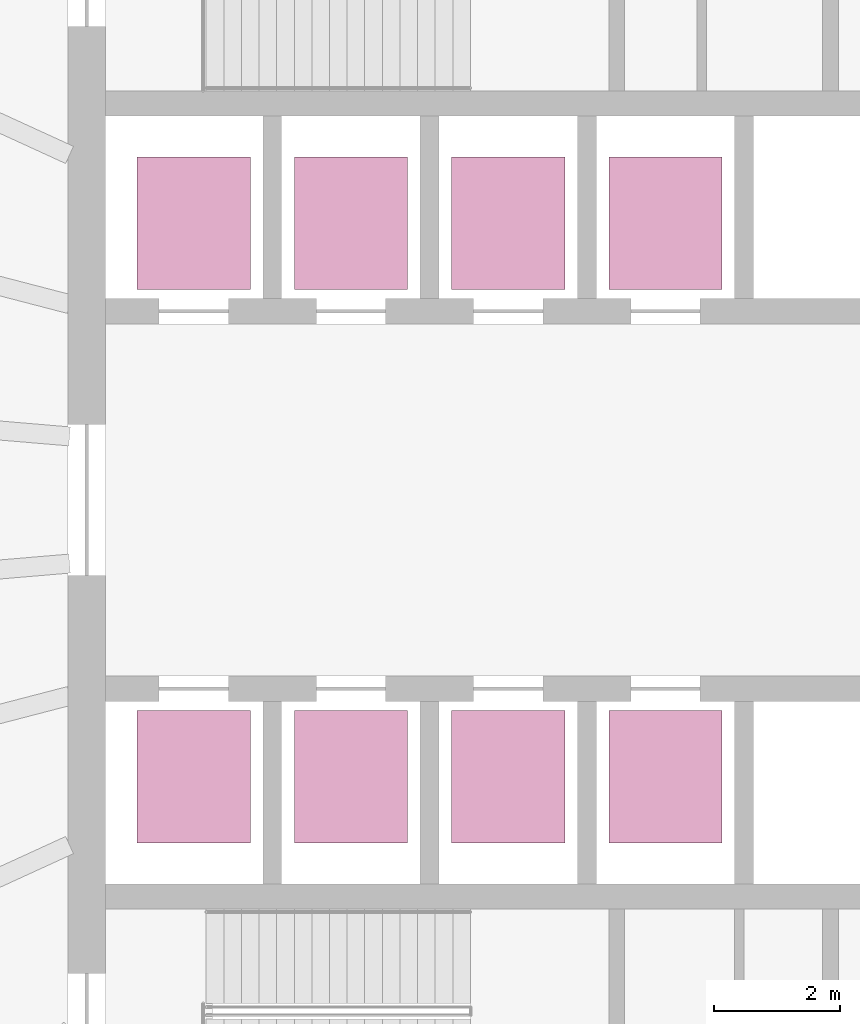
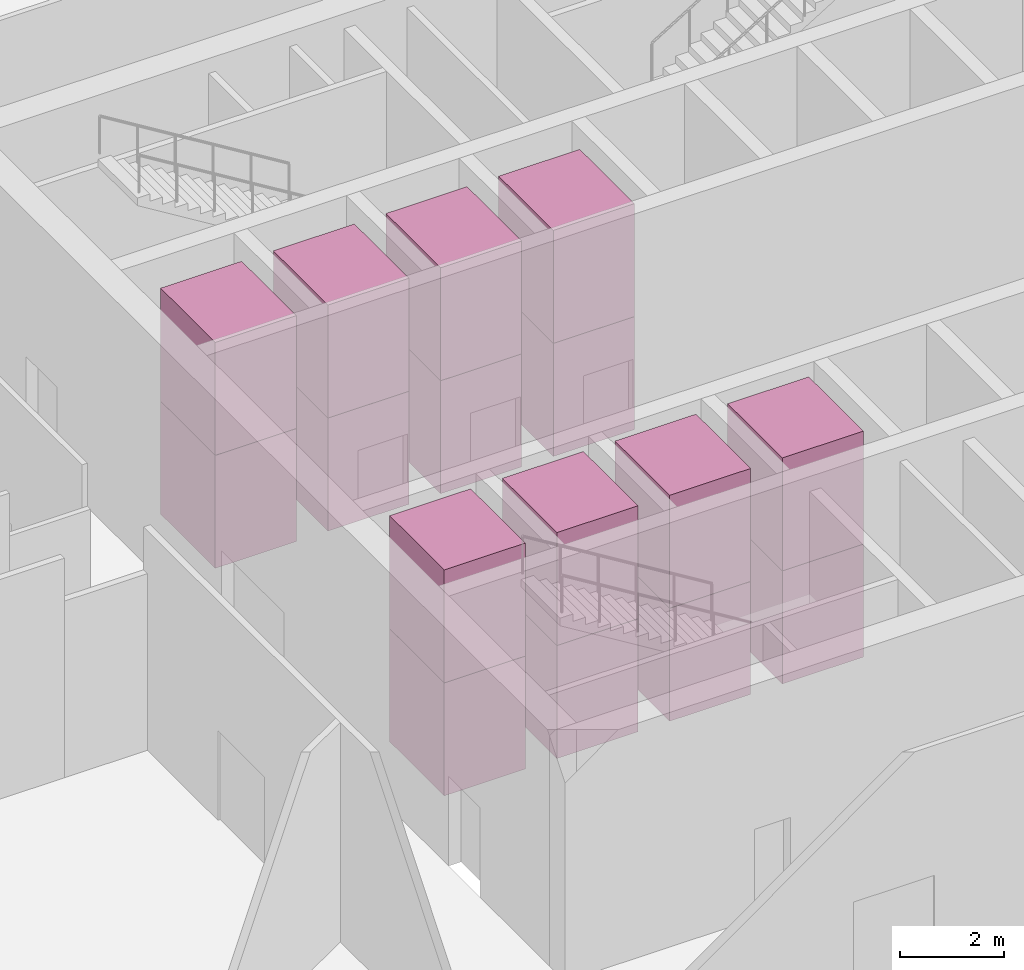
# One storey, part 29 of 29: 16 transport elements.
"""IFC4 building model written with IfcOpenShell, lengths in metres."""

from ifc_helpers import new_model, si_unit, direction, frame, origin, origin_2d, place, context, subcontext, project, spatial, rectangle, extrude, material, type_object, element, save


model = new_model("IFC4")

# Units and contexts
model_context = context("Model", 3, precision=1e-05, world=origin(), true_north=direction((0.0, 1.0)))
body_context = subcontext(model_context, "Body", "Model", "MODEL_VIEW")
ifc_project = project(units=[si_unit("LENGTHUNIT", "METRE"), si_unit("AREAUNIT", "SQUARE_METRE"), si_unit("VOLUMEUNIT", "CUBIC_METRE"), si_unit("PLANEANGLEUNIT", "RADIAN"), si_unit("MASSUNIT", "GRAM", prefix="KILO")], contexts=[model_context])

# Site, building, storey
site_placement = place(None, origin())
site = spatial("IfcSite", under=ifc_project, at=site_placement, CompositionType="ELEMENT")
building_placement = place(site_placement, origin())
building = spatial("IfcBuilding", under=site, at=building_placement, Name="Halqa Exchange Tower", CompositionType="ELEMENT")
storey_placement = place(building_placement, frame((0.0, 0.0, 12.5)))
storey = spatial("IfcBuildingStorey", under=building, at=storey_placement, Name="L02", CompositionType="ELEMENT", Elevation=12.5)

# Transport elements
ifc_material = material(Name="Stainless steel", Category="steel")
transport_element_type = type_object("IfcTransportElementType", Name="Low-rise passenger lift 1800 x 2100", PredefinedType="ELEVATOR", material=ifc_material)
for number, where, z_axis, x_axis, name in (
    (1, (-10.0, 4.39990234375, 0.0), (0.0, 0.0, 1.0), (1.0, 0.0, 0.0), "Low-rise passenger lift LR1"),
    (2, (-10.0, 4.39990234375, 2.650146484375), (0.0, 0.0, 1.0), (1.0, 0.0, 0.0), "Low-rise passenger lift LR1"),
    (3, (-7.5, 4.39990234375, 0.0), (0.0, 0.0, 1.0), (1.0, 0.0, 0.0), "Low-rise passenger lift LR2"),
    (4, (-7.5, 4.39990234375, 2.650146484375), (0.0, 0.0, 1.0), (1.0, 0.0, 0.0), "Low-rise passenger lift LR2"),
    (5, (-5.0, 4.39990234375, 0.0), (0.0, 0.0, 1.0), (1.0, 0.0, 0.0), "Low-rise passenger lift LR3"),
    (6, (-5.0, 4.39990234375, 2.650146484375), (0.0, 0.0, 1.0), (1.0, 0.0, 0.0), "Low-rise passenger lift LR3"),
    (7, (-2.5, 4.39990234375, 0.0), (0.0, 0.0, 1.0), (1.0, 0.0, 0.0), "Low-rise passenger lift LR4"),
    (8, (-2.5, 4.39990234375, 2.650146484375), (0.0, 0.0, 1.0), (1.0, 0.0, 0.0), "Low-rise passenger lift LR4"),
    (9, (-10.0, -4.39990234375, 0.0), (0.0, 0.0, 1.0), (1.0, 0.0, 0.0), "Low-rise passenger lift LR5"),
    (10, (-10.0, -4.39990234375, 2.650146484375), (0.0, 0.0, 1.0), (1.0, 0.0, 0.0), "Low-rise passenger lift LR5"),
    (11, (-7.5, -4.39990234375, 0.0), (0.0, 0.0, 1.0), (1.0, 0.0, 0.0), "Low-rise passenger lift LR6"),
    (12, (-7.5, -4.39990234375, 2.650146484375), (0.0, 0.0, 1.0), (1.0, 0.0, 0.0), "Low-rise passenger lift LR6"),
    (13, (-5.0, -4.39990234375, 0.0), (0.0, 0.0, 1.0), (1.0, 0.0, 0.0), "Low-rise passenger lift LR7"),
    (14, (-5.0, -4.39990234375, 2.650146484375), (0.0, 0.0, 1.0), (1.0, 0.0, 0.0), "Low-rise passenger lift LR7"),
    (15, (-2.5, -4.39990234375, 0.0), (0.0, 0.0, 1.0), (1.0, 0.0, 0.0), "Low-rise passenger lift LR8"),
    (16, (-2.5, -4.39990234375, 2.650146484375), (0.0, 0.0, 1.0), (1.0, 0.0, 0.0), "Low-rise passenger lift LR8"),
):
    element("IfcTransportElement", number, at=place(storey_placement, frame(where, z_axis=z_axis, x_axis=x_axis)), inside=storey, type_object=transport_element_type, Name=name, PredefinedType="ELEVATOR", context=body_context, shape_type="SweptSolid", body=[
        extrude(rectangle(XDim=1.800048828125, YDim=2.10009765625, at=origin_2d()), origin(), (0.0, 0.0, 1.0), 2.64990234375),
    ])

save(model, "model.ifc")
